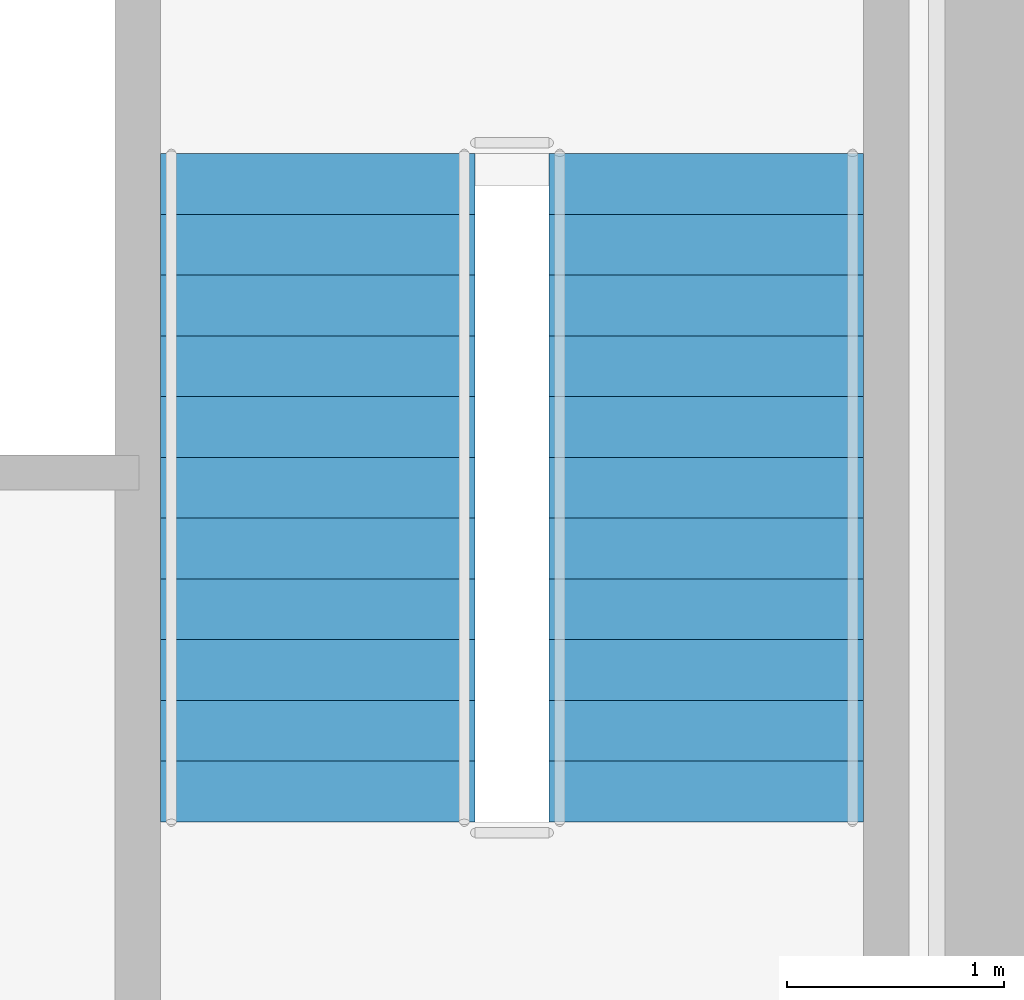
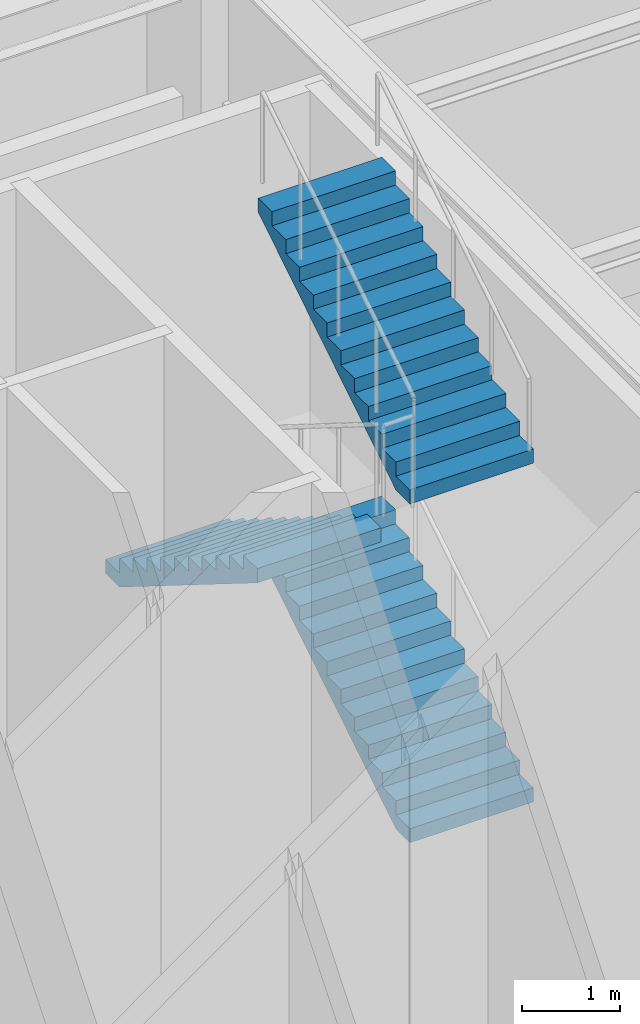
# One storey, part 5 of 7: 3 stair flights, 1 element without a shape of its own.
"""IFC4 building model written with IfcOpenShell, lengths in metres."""

import ifcopenshell
import ifcopenshell.guid

model = None  # the IFC model being written
_history = None  # IfcOwnerHistory: only IFC2X3 demands one
_inside = {}  # id of a spatial element -> (the spatial element, [elements in it])
_under = {}  # id of a project, library or spatial element -> (it, [spatial elements below it])
_declared = {}  # id of a project -> (the project, [libraries it declares])
_typed = {}  # id of a type object -> (the type object, [elements of that type])
_made_of = {}  # id of a material, layer set ... -> (it, [elements and type objects made of it])


def new_model(schema):
    """Start an empty IFC model of exactly this schema.

    Asked for "IFC4X3", IfcOpenShell would pick the latest addendum, in which some entities
    have other attributes; the version numbers below select the first issue.
    IFC2X3 requires an IfcOwnerHistory on every rooted entity: one is made here for all.
    """
    global model, _history
    if schema == "IFC4X3":
        model = ifcopenshell.file(schema_version=(4, 3, 0, 0))
    else:
        model = ifcopenshell.file(schema=schema)
    _inside.clear()
    _under.clear()
    _declared.clear()
    _typed.clear()
    _made_of.clear()
    _history = None
    if model.schema == "IFC2X3":
        org = make("IfcOrganization", Name="unknown")
        user = make(
            "IfcPersonAndOrganization",
            ThePerson=make("IfcPerson", FamilyName="unknown"),
            TheOrganization=org,
        )
        app = make(
            "IfcApplication",
            ApplicationDeveloper=org,
            Version="unknown",
            ApplicationFullName="unknown",
            ApplicationIdentifier="unknown",
        )
        _history = make(
            "IfcOwnerHistory",
            OwningUser=user,
            OwningApplication=app,
            ChangeAction="ADDED",
            CreationDate=0,
        )
    return model


def make(cls, **values):
    """One entity of the class cls with the attributes given. An attribute that is None is left unset."""
    return model.create_entity(
        cls, **{name: value for name, value in values.items() if value is not None}
    )


def rooted(cls, **values):
    """An entity with a GlobalId (a new one), such as an element, a storey or a relation."""
    return make(cls, GlobalId=ifcopenshell.guid.new(), OwnerHistory=_history, **values)


def si_unit(unit_type, name, prefix=None):
    """IfcSIUnit, for example si_unit("LENGTHUNIT", "METRE", prefix="MILLI")."""
    return make("IfcSIUnit", UnitType=unit_type, Prefix=prefix, Name=name)


def assignment(units):
    """IfcUnitAssignment: the units of a project."""
    return None if units is None else make("IfcUnitAssignment", Units=units)


def point(xyz):
    """IfcCartesianPoint."""
    return None if xyz is None else make("IfcCartesianPoint", Coordinates=xyz)


def direction(xyz):
    """IfcDirection."""
    return None if xyz is None else make("IfcDirection", DirectionRatios=xyz)


def frame(location, z_axis=None, x_axis=None):
    """IfcAxis2Placement3D, a coordinate frame: its origin and axes. An axis left out is left unset."""
    return make(
        "IfcAxis2Placement3D",
        Location=point(location),
        Axis=direction(z_axis),
        RefDirection=direction(x_axis),
    )


def origin():
    """The frame at (0, 0, 0) with its axes left unset."""
    return frame((0.0, 0.0, 0.0))


def place(relative_to, where):
    """IfcLocalPlacement: puts the frame where relative to a parent placement (None: the world)."""
    return make(
        "IfcLocalPlacement", PlacementRelTo=relative_to, RelativePlacement=where
    )


def context(
    kind, dimensions, precision=None, world=None, true_north=None, identifier=None
):
    """IfcGeometricRepresentationContext, for example the 3D "Model" context."""
    return make(
        "IfcGeometricRepresentationContext",
        ContextIdentifier=identifier,
        ContextType=kind,
        CoordinateSpaceDimension=dimensions,
        Precision=precision,
        WorldCoordinateSystem=world,
        TrueNorth=true_north,
    )


def subcontext(parent, identifier, kind, view, scale=None):
    """IfcGeometricRepresentationSubContext, for example "Body" below "Model"."""
    return make(
        "IfcGeometricRepresentationSubContext",
        ContextIdentifier=identifier,
        ContextType=kind,
        ParentContext=parent,
        TargetScale=scale,
        TargetView=view,
    )


def project(units=None, contexts=None):
    """IfcProject with its units and contexts."""
    return rooted(
        "IfcProject",
        Name="project",
        RepresentationContexts=contexts,
        UnitsInContext=assignment(units),
    )


def spatial(cls, under=None, at=None, **own):
    """A site, building, storey or space (cls), placed at a placement, below another one or the project."""
    s = rooted(cls, ObjectPlacement=at, **own)
    if under is not None:
        _under.setdefault(under.id(), (under, []))[1].append(s)
    return s


def polyline(points):
    """IfcPolyline through the points."""
    return make("IfcPolyline", Points=[point(p) for p in points])


def outline(outer, holes=None, kind="AREA"):
    """IfcArbitraryClosedProfileDef: a profile drawn as a closed curve; with holes, ...WithVoids."""
    if holes is None:
        return make("IfcArbitraryClosedProfileDef", ProfileType=kind, OuterCurve=outer)
    return make(
        "IfcArbitraryProfileDefWithVoids",
        ProfileType=kind,
        OuterCurve=outer,
        InnerCurves=holes,
    )


def extrude(swept, where, along, depth):
    """IfcExtrudedAreaSolid: the profile swept, set in the frame where, extruded along a direction by depth."""
    return make(
        "IfcExtrudedAreaSolid",
        SweptArea=swept,
        Position=where,
        ExtrudedDirection=direction(along),
        Depth=depth,
    )


def shape(context_of_items, identifier, shape_type, items):
    """IfcShapeRepresentation: the items that make up one representation, for example the "Body"."""
    return make(
        "IfcShapeRepresentation",
        ContextOfItems=context_of_items,
        RepresentationIdentifier=identifier,
        RepresentationType=shape_type,
        Items=items,
    )


def material(Name=None, Category=None):
    """IfcMaterial."""
    return make("IfcMaterial", Name=Name, Category=Category)


def layer(
    of_material, thickness, ventilated=None, Name=None, Category=None, Priority=None
):
    """IfcMaterialLayer: one layer of a wall or slab, of a material (None: an air gap)."""
    return make(
        "IfcMaterialLayer",
        Material=of_material,
        LayerThickness=thickness,
        IsVentilated=ventilated,
        Name=Name,
        Category=Category,
        Priority=Priority,
    )


def layer_set(layers, Name=None):
    """IfcMaterialLayerSet."""
    return make("IfcMaterialLayerSet", MaterialLayers=layers, LayerSetName=Name)


def made_of(thing, what):
    """Note that an element or type object is made of a material, layer set ...; save() writes the relation."""
    if what is not None:
        _made_of.setdefault(what.id(), (what, []))[1].append(thing)
    return thing


def type_object(cls, material=None, **own):
    """A type object (cls), such as IfcWallType, which elements share."""
    return made_of(rooted(cls, **own), material)


def element(
    cls,
    number,
    at=None,
    inside=None,
    cuts=None,
    type_object=None,
    material=None,
    context=None,
    identifier="Body",
    shape_type=None,
    held_by="IfcProductDefinitionShape",
    body=None,
    shapes=None,
    **own,
):
    """One element of the class cls, such as IfcWall. Its Tag is "e" and its number.

    at: its placement. inside: the storey or other place that contains it. cuts: it is an
    opening in that element (IfcRelVoidsElement). A single representation is given by context,
    identifier, shape_type and body (its items); several are given by shapes. held_by: the class
    of the entity that holds the representations. save() writes the other relations.
    """
    e = rooted(cls, Tag="e%d" % number, ObjectPlacement=at, **own)
    if body is not None:
        shapes = [shape(context, identifier, shape_type, body)]
    if shapes is not None:
        e.Representation = make(held_by, Representations=shapes)
    if inside is not None:
        _inside.setdefault(inside.id(), (inside, []))[1].append(e)
    if cuts is not None:
        rooted(
            "IfcRelVoidsElement", RelatingBuildingElement=cuts, RelatedOpeningElement=e
        )
    if type_object is not None:
        _typed.setdefault(type_object.id(), (type_object, []))[1].append(e)
    return made_of(e, material)


def aggregate(whole, parts):
    """IfcRelAggregates: a whole, such as a stair, and the parts it consists of."""
    return rooted("IfcRelAggregates", RelatingObject=whole, RelatedObjects=parts)


def save(model, path):
    """Write the relations noted so far, then the file.

    IfcRelAggregates (storeys below a building ...), IfcRelContainedInSpatialStructure (elements
    in a storey), IfcRelDefinesByType, IfcRelAssociatesMaterial and IfcRelDeclares: one each for
    every whole, place, type object, material and project.
    """
    for whole, parts in _under.values():
        aggregate(whole, parts)
    for where, things in _inside.values():
        rooted(
            "IfcRelContainedInSpatialStructure",
            RelatedElements=things,
            RelatingStructure=where,
        )
    for kind, things in _typed.values():
        rooted("IfcRelDefinesByType", RelatedObjects=things, RelatingType=kind)
    for what, things in _made_of.values():
        rooted("IfcRelAssociatesMaterial", RelatedObjects=things, RelatingMaterial=what)
    for by, libraries in _declared.values():
        rooted("IfcRelDeclares", RelatingContext=by, RelatedDefinitions=libraries)
    model.write(path)


model = new_model("IFC4")

# Units and contexts
model_context = context("Model", 3, precision=1e-05, world=origin(), true_north=direction((0.0, 1.0)))
body_context = subcontext(model_context, "Body", "Model", "MODEL_VIEW")
ifc_project = project(units=[si_unit("LENGTHUNIT", "METRE"), si_unit("AREAUNIT", "SQUARE_METRE"), si_unit("VOLUMEUNIT", "CUBIC_METRE"), si_unit("PLANEANGLEUNIT", "RADIAN"), si_unit("MASSUNIT", "GRAM", prefix="KILO")], contexts=[model_context])

# Site, building, storey
site_placement = place(None, origin())
site = spatial("IfcSite", under=ifc_project, at=site_placement, CompositionType="ELEMENT")
building_placement = place(site_placement, origin())
building = spatial("IfcBuilding", under=site, at=building_placement, Name="Qalmaran Belvedere Hotel", CompositionType="ELEMENT")
storey_placement = place(building_placement, frame((0.0, 0.0, 184.10009765625)))
storey = spatial("IfcBuildingStorey", under=building, at=storey_placement, Name="L47", CompositionType="ELEMENT", Elevation=184.10009765625)

# Stair, stair flights
ifc_material = material(Name="Concrete C40/50", Category="concrete")
stair_type = type_object("IfcStairType", Name="STR-ST-2-1450-R1750", PredefinedType="HALF_TURN_STAIR", material=ifc_material)
stair_placement = place(storey_placement, origin())
stair = element("IfcStair", 1, at=stair_placement, inside=storey, type_object=stair_type, Name="L47 East Core Exit Stair ST-2", PredefinedType="HALF_TURN_STAIR")
ifc_layer = layer(ifc_material, 0.14990234375, Name="Concrete C40/50")
ifc_layer_set = layer_set([ifc_layer], Name="Concrete C40/50")
stair_flight_type = type_object("IfcStairFlightType", Name="STF-ST-2-1450-R1750", PredefinedType="STRAIGHT", material=ifc_layer_set)
stair_flight_1_placement = place(storey_placement, frame((43.47509765625, 13.110107421875, 2.099853515625), z_axis=(0.0, 0.0, 1.0), x_axis=(0.0, 1.0, 0.0)))
stair_flight_1 = element("IfcStairFlight", 2, at=stair_flight_1_placement, type_object=stair_flight_type, Name="ST-2 flight 2", NumberOfRisers=12, NumberOfTreads=11, PredefinedType="STRAIGHT", RiserHeight=0.175, TreadLength=0.28, context=body_context, shape_type="SweptSolid", body=[
    extrude(outline(polyline([(0.0, 0.0), (0.0, 0.175048828125), (0.280029296875, 0.175048828125), (0.280029296875, 0.35009765625), (0.56005859375, 0.35009765625), (0.56005859375, 0.52490234375), (0.840087890625, 0.52490234375), (0.840087890625, 0.699951171875), (1.1201171875, 0.699951171875), (1.1201171875, 0.875), (1.39990234375, 0.875), (1.39990234375, 1.050048828125), (1.679931640625, 1.050048828125), (1.679931640625, 1.22509765625), (1.9599609375, 1.22509765625), (1.9599609375, 1.39990234375), (2.239990234375, 1.39990234375), (2.239990234375, 1.574951171875), (2.52001953125, 1.574951171875), (2.52001953125, 1.75), (2.800048828125, 1.75), (2.800048828125, 1.925048828125), (3.080078125, 1.925048828125), (3.080078125, 2.10009765625), (3.080078125, 1.748291015625), (0.28271484375, 0.0), (0.0, 0.0)])), frame((0.0, 0.72509765625, 0.0), z_axis=(0.0, -1.0, 0.0), x_axis=(1.0, 0.0, 0.0)), (0.0, 0.0, 1.0), 1.449951171875),
])
stair_flight_2_placement = place(storey_placement, frame((41.68505859375, 16.18994140625, 4.199951171875), z_axis=(0.0, 0.0, 1.0), x_axis=(0.0, -1.0, 0.0)))
stair_flight_2 = element("IfcStairFlight", 3, at=stair_flight_2_placement, type_object=stair_flight_type, Name="ST-2 flight 3", NumberOfRisers=12, NumberOfTreads=11, PredefinedType="STRAIGHT", RiserHeight=0.175, TreadLength=0.28, context=body_context, shape_type="SweptSolid", body=[
    extrude(outline(polyline([(0.0, 0.0), (0.0, 0.175048828125), (0.280029296875, 0.175048828125), (0.280029296875, 0.35009765625), (0.56005859375, 0.35009765625), (0.56005859375, 0.52490234375), (0.840087890625, 0.52490234375), (0.840087890625, 0.699951171875), (1.1201171875, 0.699951171875), (1.1201171875, 0.875), (1.39990234375, 0.875), (1.39990234375, 1.050048828125), (1.679931640625, 1.050048828125), (1.679931640625, 1.22509765625), (1.9599609375, 1.22509765625), (1.9599609375, 1.39990234375), (2.239990234375, 1.39990234375), (2.239990234375, 1.574951171875), (2.52001953125, 1.574951171875), (2.52001953125, 1.75), (2.800048828125, 1.75), (2.800048828125, 1.925048828125), (3.080078125, 1.925048828125), (3.080078125, 2.10009765625), (3.080078125, 1.748291015625), (0.28271484375, 0.0), (0.0, 0.0)])), frame((0.0, 0.72509765625, 0.0), z_axis=(0.0, -1.0, 0.0), x_axis=(1.0, 0.0, 0.0)), (0.0, 0.0, 1.0), 1.449951171875),
])
stair_flight_3_placement = place(storey_placement, frame((43.47509765625, 13.110107421875, 6.2998046875), z_axis=(0.0, 0.0, 1.0), x_axis=(0.0, 1.0, 0.0)))
stair_flight_3 = element("IfcStairFlight", 4, at=stair_flight_3_placement, type_object=stair_flight_type, Name="ST-2 flight 4", NumberOfRisers=12, NumberOfTreads=11, PredefinedType="STRAIGHT", RiserHeight=0.175, TreadLength=0.28, context=body_context, shape_type="SweptSolid", body=[
    extrude(outline(polyline([(0.0, 0.0), (0.0, 0.175048828125), (0.280029296875, 0.175048828125), (0.280029296875, 0.35009765625), (0.56005859375, 0.35009765625), (0.56005859375, 0.52490234375), (0.840087890625, 0.52490234375), (0.840087890625, 0.699951171875), (1.1201171875, 0.699951171875), (1.1201171875, 0.875), (1.39990234375, 0.875), (1.39990234375, 1.050048828125), (1.679931640625, 1.050048828125), (1.679931640625, 1.22509765625), (1.9599609375, 1.22509765625), (1.9599609375, 1.39990234375), (2.239990234375, 1.39990234375), (2.239990234375, 1.574951171875), (2.52001953125, 1.574951171875), (2.52001953125, 1.75), (2.800048828125, 1.75), (2.800048828125, 1.925048828125), (3.080078125, 1.925048828125), (3.080078125, 2.10009765625), (3.080078125, 1.748291015625), (0.28271484375, 0.0), (0.0, 0.0)])), frame((0.0, 0.72509765625, 0.0), z_axis=(0.0, -1.0, 0.0), x_axis=(1.0, 0.0, 0.0)), (0.0, 0.0, 1.0), 1.449951171875),
])
aggregate(stair, [stair_flight_1, stair_flight_2, stair_flight_3])

save(model, "model.ifc")
